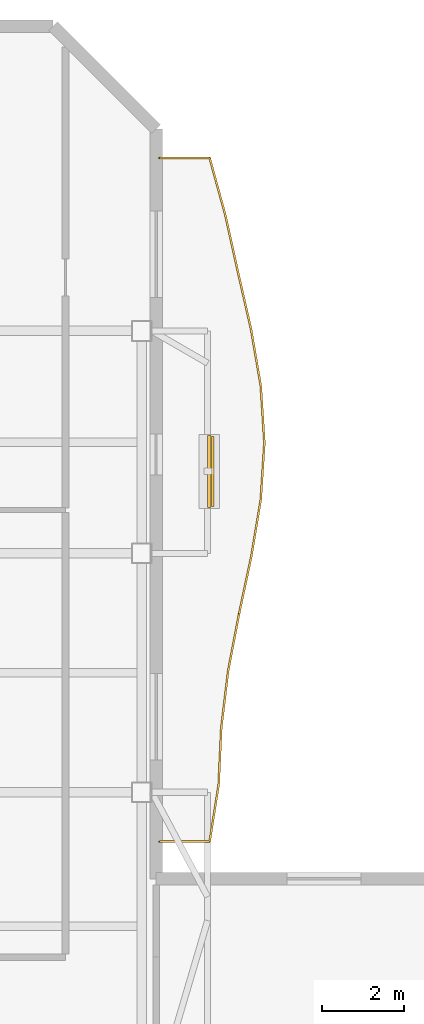
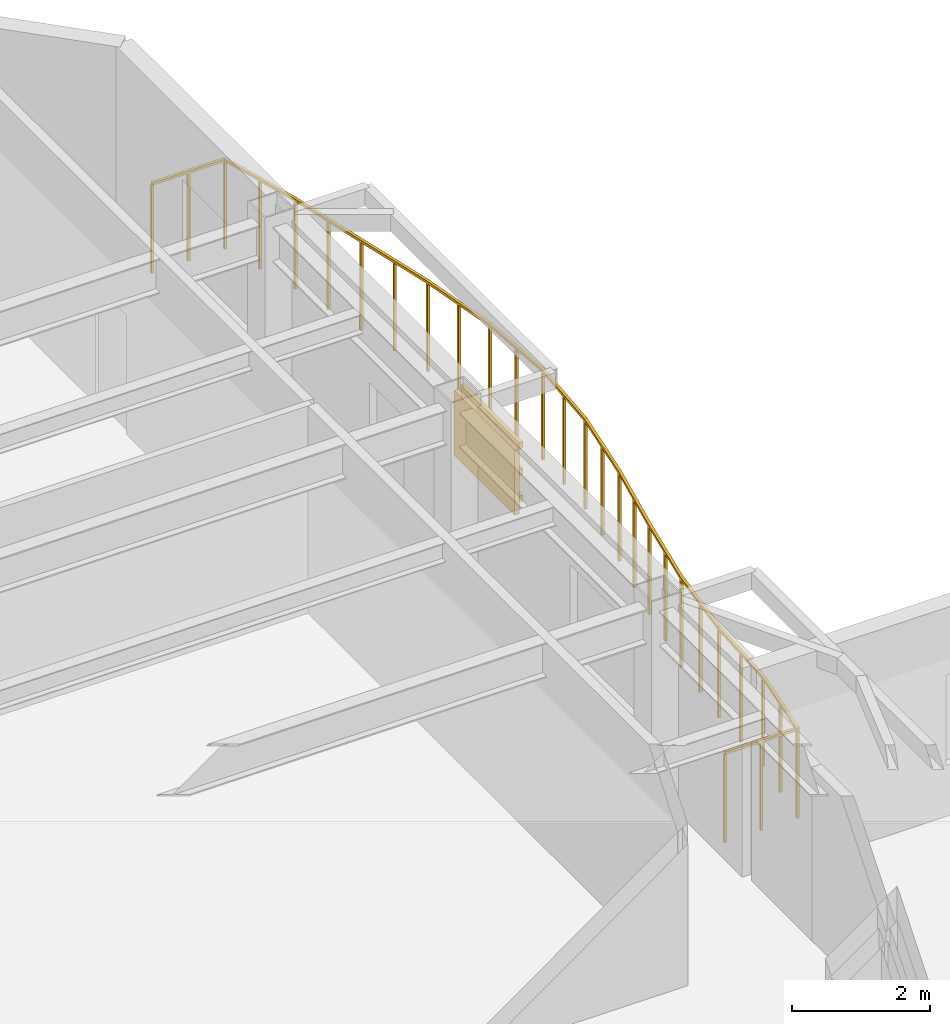
# One storey, part 9 of 9: 4 shading devices, 1 railing.
"""IFC4 building model written with IfcOpenShell, lengths in metres."""

from ifc_helpers import new_model, si_unit, direction, frame, origin, origin_2d, place, context, subcontext, project, spatial, rectangle, extrude, material, layer, layer_set, material_profile, profile_set, type_object, element, save


model = new_model("IFC4")

# Units and contexts
model_context = context("Model", 3, precision=1e-05, world=origin(), true_north=direction((0.0, 1.0)))
body_context = subcontext(model_context, "Body", "Model", "MODEL_VIEW")
ifc_project = project(units=[si_unit("LENGTHUNIT", "METRE"), si_unit("AREAUNIT", "SQUARE_METRE"), si_unit("VOLUMEUNIT", "CUBIC_METRE"), si_unit("PLANEANGLEUNIT", "RADIAN"), si_unit("MASSUNIT", "GRAM", prefix="KILO")], contexts=[model_context])

# Site, building, storey
site_placement = place(None, origin())
site = spatial("IfcSite", under=ifc_project, at=site_placement, CompositionType="ELEMENT")
building_placement = place(site_placement, origin())
building = spatial("IfcBuilding", under=site, at=building_placement, Name="Mawjaban Terraces University", CompositionType="ELEMENT")
storey_placement = place(building_placement, frame((0.0, 0.0, 130.699951171875)))
storey = spatial("IfcBuildingStorey", under=building, at=storey_placement, Name="L31", CompositionType="ELEMENT", Elevation=130.699951171875)

# Railing
ifc_material_1 = material(Name="Galvanised powder-coated steel S355", Category="steel")
railing_type = type_object("IfcRailingType", Name="BalconyBalustrade_1600", PredefinedType="BALUSTRADE", material=ifc_material_1)
railing_placement = place(storey_placement, frame((38.080078125, 28.800048828125, 0.0)))
element("IfcRailing", 1, at=railing_placement, inside=storey, type_object=railing_type, Name="L31 Balcony Guardrail inner_east", PredefinedType="BALUSTRADE", context=body_context, shape_type="SweptSolid", body=[
    extrude(rectangle(XDim=0.048095703125, YDim=0.048095703125, at=origin_2d()), frame((0.0, 0.0, 1.576171875), z_axis=(1.0, 0.0, 0.0), x_axis=(0.0, 1.0, 0.0)), (0.0, 0.0, 1.0), 1.219970703125),
    extrude(rectangle(XDim=0.048095703125, YDim=0.048095703125, at=origin_2d()), frame((1.219970703125, 0.0, 1.576171875), z_axis=(0.156392308887, 0.987695016552, 0.0), x_axis=(-0.987695016552, 0.156392308887, 0.0)), (0.0, 0.0, 1.0), 1.400390625),
    extrude(rectangle(XDim=0.048095703125, YDim=0.048095703125, at=origin_2d()), frame((1.43896484375, 1.383056640625, 1.576171875), z_axis=(0.046175112999, 0.99893336061, 0.0), x_axis=(-0.99893336061, 0.046175112999, 0.0)), (0.0, 0.0, 1.0), 1.38525390625),
    extrude(rectangle(XDim=0.048095703125, YDim=0.048095703125, at=origin_2d()), frame((1.5029296875, 2.766845703125, 1.576171875), z_axis=(0.119870788865, 0.992789501343, 0.0), x_axis=(-0.992789501343, 0.119870788865, 0.0)), (0.0, 0.0, 1.0), 1.39306640625),
    extrude(rectangle(XDim=0.048095703125, YDim=0.048095703125, at=origin_2d()), frame((1.669921875, 4.14990234375, 1.576171875), z_axis=(0.188107853419, 0.982148377529, 0.0), x_axis=(-0.982148377529, 0.188107853419, 0.0)), (0.0, 0.0, 1.0), 1.408203125),
    extrude(rectangle(XDim=0.048095703125, YDim=0.048095703125, at=origin_2d()), frame((1.934814453125, 5.532958984375, 1.576171875), z_axis=(0.208574667997, 0.97800644572, 0.0), x_axis=(-0.97800644572, 0.208574667997, 0.0)), (0.0, 0.0, 1.0), 1.4150390625),
    extrude(rectangle(XDim=0.048095703125, YDim=0.048095703125, at=origin_2d()), frame((2.22998046875, 6.9169921875, 1.576171875), z_axis=(0.164709556573, 0.986342112035, 0.0), x_axis=(-0.986342112035, 0.164709556573, 0.0)), (0.0, 0.0, 1.0), 1.402099609375),
    extrude(rectangle(XDim=0.048095703125, YDim=0.048095703125, at=origin_2d()), frame((2.4609375, 8.300048828125, 1.576171875), z_axis=(0.064133236153, 0.99794134498, 0.0), x_axis=(-0.99794134498, 0.064133236153, 0.0)), (0.0, 0.0, 1.0), 1.3857421875),
    extrude(rectangle(XDim=0.048095703125, YDim=0.048095703125, at=origin_2d()), frame((2.5498046875, 9.682861328125, 1.576171875), z_axis=(-0.063375605657, 0.997989745743, 0.0), x_axis=(-0.997989745743, -0.063375605657, 0.0)), (0.0, 0.0, 1.0), 1.38671875),
    extrude(rectangle(XDim=0.048095703125, YDim=0.048095703125, at=origin_2d()), frame((2.4619140625, 11.06689453125, 1.576171875), z_axis=(-0.16961562862, 0.985510293466, 0.0), x_axis=(-0.985510293466, -0.16961562862, 0.0)), (0.0, 0.0, 1.0), 1.4033203125),
    extrude(rectangle(XDim=0.048095703125, YDim=0.048095703125, at=origin_2d()), frame((2.223876953125, 12.449951171875, 1.576171875), z_axis=(-0.222684617175, 0.974890538098, 0.0), x_axis=(-0.974890538098, -0.222684617175, 0.0)), (0.0, 0.0, 1.0), 1.418701171875),
    extrude(rectangle(XDim=0.048095703125, YDim=0.048095703125, at=origin_2d()), frame((1.907958984375, 13.8330078125, 1.576171875), z_axis=(-0.216638706116, 0.976251848148, 0.0), x_axis=(-0.976251848148, -0.216638706116, 0.0)), (0.0, 0.0, 1.0), 1.417724609375),
    extrude(rectangle(XDim=0.048095703125, YDim=0.048095703125, at=origin_2d()), frame((1.600830078125, 15.217041015625, 1.576171875), z_axis=(-0.265536257751, 0.964100874297, 0.0), x_axis=(-0.964100874297, -0.265536257751, 0.0)), (0.0, 0.0, 1.0), 1.434326171875),
    extrude(rectangle(XDim=0.048095703125, YDim=0.048095703125, at=origin_2d()), frame((1.219970703125, 16.599853515625, 1.576171875), z_axis=(-1.0, 0.0, 0.0), x_axis=(0.0, -1.0, 0.0)), (0.0, 0.0, 1.0), 1.219970703125),
    extrude(rectangle(XDim=0.0419921875, YDim=0.0419921875, at=origin_2d()), origin(), (0.0, 0.0, 1.0), 1.552001953125),
    extrude(rectangle(XDim=0.0419921875, YDim=0.0419921875, at=origin_2d()), frame((0.60986328125, 0.0, 0.0)), (0.0, 0.0, 1.0), 1.552001953125),
    extrude(rectangle(XDim=0.0419921875, YDim=0.0419921875, at=origin_2d()), frame((1.219970703125, 0.0, 0.0)), (0.0, 0.0, 1.0), 1.552001953125),
    extrude(rectangle(XDim=0.0419921875, YDim=0.0419921875, at=origin_2d()), frame((1.32958984375, 0.69140625, 0.0)), (0.0, 0.0, 1.0), 1.552001953125),
    extrude(rectangle(XDim=0.0419921875, YDim=0.0419921875, at=origin_2d()), frame((1.43896484375, 1.383056640625, 0.0)), (0.0, 0.0, 1.0), 1.552001953125),
    extrude(rectangle(XDim=0.0419921875, YDim=0.0419921875, at=origin_2d()), frame((1.470947265625, 2.074951171875, 0.0)), (0.0, 0.0, 1.0), 1.552001953125),
    extrude(rectangle(XDim=0.0419921875, YDim=0.0419921875, at=origin_2d()), frame((1.5029296875, 2.766845703125, 0.0)), (0.0, 0.0, 1.0), 1.552001953125),
    extrude(rectangle(XDim=0.0419921875, YDim=0.0419921875, at=origin_2d()), frame((1.58642578125, 3.45849609375, 0.0)), (0.0, 0.0, 1.0), 1.552001953125),
    extrude(rectangle(XDim=0.0419921875, YDim=0.0419921875, at=origin_2d()), frame((1.669921875, 4.14990234375, 0.0)), (0.0, 0.0, 1.0), 1.552001953125),
    extrude(rectangle(XDim=0.0419921875, YDim=0.0419921875, at=origin_2d()), frame((1.80224609375, 4.84130859375, 0.0)), (0.0, 0.0, 1.0), 1.552001953125),
    extrude(rectangle(XDim=0.0419921875, YDim=0.0419921875, at=origin_2d()), frame((1.934814453125, 5.532958984375, 0.0)), (0.0, 0.0, 1.0), 1.552001953125),
    extrude(rectangle(XDim=0.0419921875, YDim=0.0419921875, at=origin_2d()), frame((2.08251953125, 6.22509765625, 0.0)), (0.0, 0.0, 1.0), 1.552001953125),
    extrude(rectangle(XDim=0.0419921875, YDim=0.0419921875, at=origin_2d()), frame((2.22998046875, 6.9169921875, 0.0)), (0.0, 0.0, 1.0), 1.552001953125),
    extrude(rectangle(XDim=0.0419921875, YDim=0.0419921875, at=origin_2d()), frame((2.345458984375, 7.6083984375, 0.0)), (0.0, 0.0, 1.0), 1.552001953125),
    extrude(rectangle(XDim=0.0419921875, YDim=0.0419921875, at=origin_2d()), frame((2.4609375, 8.300048828125, 0.0)), (0.0, 0.0, 1.0), 1.552001953125),
    extrude(rectangle(XDim=0.0419921875, YDim=0.0419921875, at=origin_2d()), frame((2.50537109375, 8.991455078125, 0.0)), (0.0, 0.0, 1.0), 1.552001953125),
    extrude(rectangle(XDim=0.0419921875, YDim=0.0419921875, at=origin_2d()), frame((2.5498046875, 9.682861328125, 0.0)), (0.0, 0.0, 1.0), 1.552001953125),
    extrude(rectangle(XDim=0.0419921875, YDim=0.0419921875, at=origin_2d()), frame((2.505859375, 10.375, 0.0)), (0.0, 0.0, 1.0), 1.552001953125),
    extrude(rectangle(XDim=0.0419921875, YDim=0.0419921875, at=origin_2d()), frame((2.4619140625, 11.06689453125, 0.0)), (0.0, 0.0, 1.0), 1.552001953125),
    extrude(rectangle(XDim=0.0419921875, YDim=0.0419921875, at=origin_2d()), frame((2.3427734375, 11.75830078125, 0.0)), (0.0, 0.0, 1.0), 1.552001953125),
    extrude(rectangle(XDim=0.0419921875, YDim=0.0419921875, at=origin_2d()), frame((2.223876953125, 12.449951171875, 0.0)), (0.0, 0.0, 1.0), 1.552001953125),
    extrude(rectangle(XDim=0.0419921875, YDim=0.0419921875, at=origin_2d()), frame((2.06591796875, 13.1416015625, 0.0)), (0.0, 0.0, 1.0), 1.552001953125),
    extrude(rectangle(XDim=0.0419921875, YDim=0.0419921875, at=origin_2d()), frame((1.907958984375, 13.8330078125, 0.0)), (0.0, 0.0, 1.0), 1.552001953125),
    extrude(rectangle(XDim=0.0419921875, YDim=0.0419921875, at=origin_2d()), frame((1.75439453125, 14.52490234375, 0.0)), (0.0, 0.0, 1.0), 1.552001953125),
    extrude(rectangle(XDim=0.0419921875, YDim=0.0419921875, at=origin_2d()), frame((1.600830078125, 15.217041015625, 0.0)), (0.0, 0.0, 1.0), 1.552001953125),
    extrude(rectangle(XDim=0.0419921875, YDim=0.0419921875, at=origin_2d()), frame((1.410400390625, 15.908447265625, 0.0)), (0.0, 0.0, 1.0), 1.552001953125),
    extrude(rectangle(XDim=0.0419921875, YDim=0.0419921875, at=origin_2d()), frame((1.219970703125, 16.599853515625, 0.0)), (0.0, 0.0, 1.0), 1.552001953125),
    extrude(rectangle(XDim=0.0419921875, YDim=0.0419921875, at=origin_2d()), frame((0.60986328125, 16.599853515625, 0.0)), (0.0, 0.0, 1.0), 1.552001953125),
    extrude(rectangle(XDim=0.0419921875, YDim=0.0419921875, at=origin_2d()), frame((0.0, 16.599853515625, 0.0)), (0.0, 0.0, 1.0), 1.552001953125),
])

# Shading devices
ifc_material_2 = material(Name="Glazed architectural terracotta ceramic", Category="masonry")
ifc_material_profile = material_profile(ifc_material_2, rectangle(XDim=0.06494140625, YDim=0.110107421875, at=origin_2d()), Name="TBAG110X65")
ifc_profile_set = profile_set([ifc_material_profile], Name="Glazed architectural terracotta ceramic")
shading_device_type_1 = type_object("IfcShadingDeviceType", Name="TerracottaBaguette_110x65", PredefinedType="USERDEFINED", material=ifc_profile_set)
for number, where, z_axis, x_axis, name in (
    (2, (39.373046875, 36.94091796875, 0.679931640625), (0.0, 1.0, 0.0), (-1.0, 0.0, 0.0), "L31 Horizontal Terracotta Baguette inner_east.1"),
    (3, (39.373046875, 36.94091796875, 1.150146484375), (0.0, 1.0, 0.0), (-1.0, 0.0, 0.0), "L31 Horizontal Terracotta Baguette inner_east.2"),
    (4, (39.373046875, 36.94091796875, 1.6201171875), (0.0, 1.0, 0.0), (-1.0, 0.0, 0.0), "L31 Horizontal Terracotta Baguette inner_east.3"),
):
    element("IfcShadingDevice", number, at=place(storey_placement, frame(where, z_axis=z_axis, x_axis=x_axis)), inside=storey, type_object=shading_device_type_1, Name=name, ObjectType="BAGUETTE", PredefinedType="USERDEFINED", context=body_context, shape_type="SweptSolid", body=[
        extrude(rectangle(XDim=0.06494140625, YDim=0.110107421875, at=origin_2d()), origin(), (0.0, 0.0, 1.0), 1.7001953125),
    ])
ifc_layer = layer(ifc_material_2, 0.080078125)
ifc_layer_set = layer_set([ifc_layer], Name="Glazed architectural terracotta ceramic")
shading_device_type_2 = type_object("IfcShadingDeviceType", Name="TerracottaScreen_Perforated", PredefinedType="USERDEFINED", material=ifc_layer_set)
shading_device_placement = place(storey_placement, frame((39.2880859375, 37.791015625, 0.440185546875), z_axis=(0.0, 0.0, 1.0), x_axis=(0.0, 1.0, 0.0)))
element("IfcShadingDevice", 5, at=shading_device_placement, inside=storey, type_object=shading_device_type_2, Name="L31 Balcony Perforated Terracotta Screen inner_east", ObjectType="SCREEN", PredefinedType="USERDEFINED", context=body_context, shape_type="SweptSolid", body=[
    extrude(rectangle(XDim=1.75, YDim=0.080078125, at=origin_2d()), origin(), (0.0, 0.0, 1.0), 1.14990234375),
])

save(model, "model.ifc")
